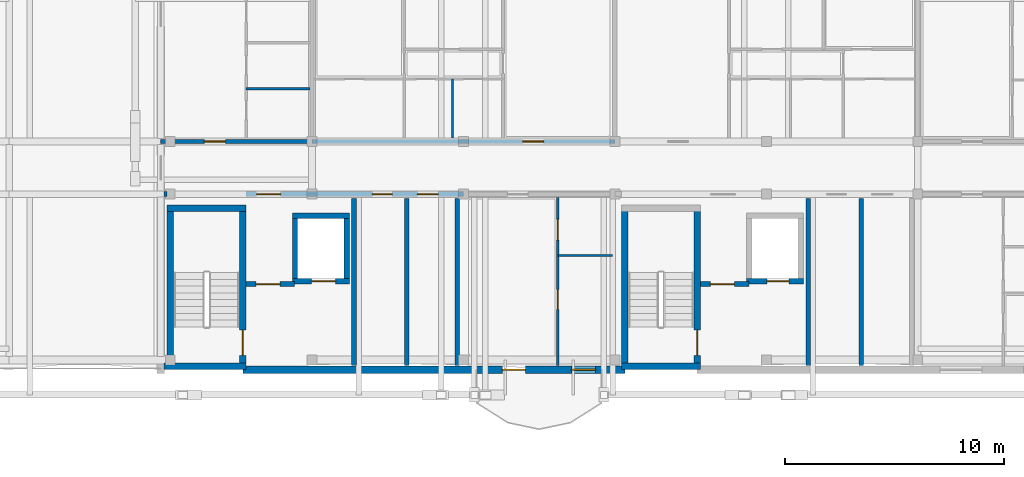
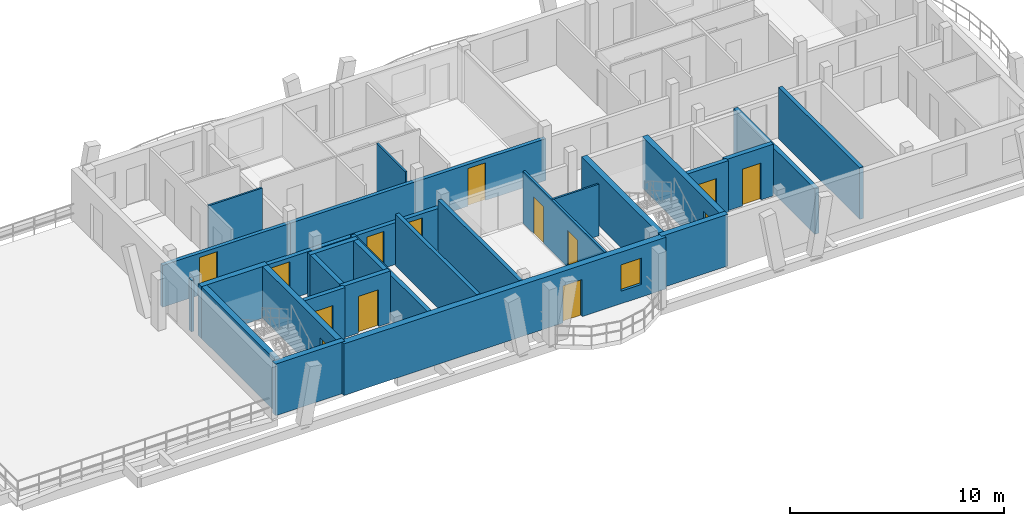
# One storey, part 30 of 44: 28 walls, 14 doors, 1 window, 15 openings.
"""IFC4 building model written with IfcOpenShell, lengths in metres."""

from ifc_helpers import new_model, si_unit, direction, frame, frame_2d, origin, origin_with_axes, place, context, subcontext, project, spatial, rectangle, extrude, material, layer, layer_set, type_object, element, fill, save


model = new_model("IFC4")

# Units and contexts
model_context = context("Model", 3, precision=1e-05, world=origin(), true_north=direction((0.0, 1.0)))
body_context = subcontext(model_context, "Body", "Model", "MODEL_VIEW")
ifc_project = project(units=[si_unit("LENGTHUNIT", "METRE"), si_unit("AREAUNIT", "SQUARE_METRE"), si_unit("VOLUMEUNIT", "CUBIC_METRE"), si_unit("PLANEANGLEUNIT", "RADIAN"), si_unit("MASSUNIT", "GRAM", prefix="KILO")], contexts=[model_context])

# Site, building, storey
site_placement = place(None, origin())
site = spatial("IfcSite", under=ifc_project, at=site_placement, CompositionType="ELEMENT")
building_placement = place(site_placement, origin())
building = spatial("IfcBuilding", under=site, at=building_placement, Name="Zavelmont Quarter", CompositionType="ELEMENT")
storey_placement = place(building_placement, frame((0.0, 0.0, 20.800048828125)))
storey = spatial("IfcBuildingStorey", under=building, at=storey_placement, Name="L06", CompositionType="ELEMENT", Elevation=20.800048828125)

# Wall, openings, door, window
ifc_material_1 = material(Name="Natural Belgian limestone", Category="masonry")
ifc_layer_1 = layer(ifc_material_1, 0.340087890625)
ifc_layer_set_1 = layer_set([ifc_layer_1], Name="Natural Belgian limestone")
wall_type_1 = type_object("IfcWallType", Name="EW03", PredefinedType="STANDARD", material=ifc_layer_set_1)
wall_1_placement = place(storey_placement, frame((130.35009765625, 97.60009765625, 0.0), z_axis=(0.0, 0.0, 1.0), x_axis=(1.0, 0.0, 0.0)))
wall_1 = element("IfcWall", 1, at=wall_1_placement, inside=storey, type_object=wall_type_1, Name="L06 exterior limestone wall EW03", PredefinedType="STANDARD", context=body_context, shape_type="SweptSolid", body=[
    extrude(rectangle(XDim=17.39990234375, YDim=0.340087890625, at=frame_2d((8.699951171875, 0.0))), origin(), (0.0, 0.0, 1.0), 2.949951171875),
])
opening_1_placement = place(wall_1_placement, frame((11.820068359375, 0.0, 0.0)))
opening_1 = element("IfcOpeningElement", 2, at=opening_1_placement, cuts=wall_1, Name="Opening DR04A", PredefinedType="OPENING", context=body_context, shape_type="SweptSolid", body=[
    extrude(rectangle(XDim=1.050048828125, YDim=2.1201171875, at=frame_2d((0.52490234375, 1.06005859375))), frame((0.0, 0.18212890625, 0.0), z_axis=(0.0, -1.0, 0.0), x_axis=(1.0, 0.0, 0.0)), (0.0, 0.0, 1.0), 0.364013671875),
])
opening_2_placement = place(wall_1_placement, frame((14.969970703125, 0.0, 0.719970703125)))
opening_2 = element("IfcOpeningElement", 3, at=opening_2_placement, cuts=wall_1, Name="Opening WN09", PredefinedType="OPENING", context=body_context, shape_type="SweptSolid", body=[
    extrude(rectangle(XDim=1.10009765625, YDim=1.5, at=frame_2d((0.550048828125, 0.75))), frame((0.0, 0.18212890625, 0.0), z_axis=(0.0, -1.0, 0.0), x_axis=(1.0, 0.0, 0.0)), (0.0, 0.0, 1.0), 0.364013671875),
])
ifc_material_2 = material(Name="Thermally broken aluminium and double safety glass", Category="aluminium")
door_type_1 = type_object("IfcDoorType", Name="DR04A", OperationType="NOTDEFINED", PredefinedType="DOOR", material=ifc_material_2)
door_1_placement = place(opening_1_placement, origin_with_axes())
door_1 = element("IfcDoor", 4, at=door_1_placement, inside=storey, type_object=door_type_1, Name="Block C L06 glazed balcony door", OperationType="SINGLE_SWING_RIGHT", OverallHeight=2.1201171875, OverallWidth=1.050048828125, PredefinedType="DOOR", context=body_context, shape_type="SweptSolid", body=[
    extrude(rectangle(XDim=1.050048828125, YDim=2.1201171875, at=frame_2d((0.52490234375, 1.06005859375))), frame((0.0, 0.02490234375, 0.0), z_axis=(0.0, -1.0, 0.0), x_axis=(1.0, 0.0, 0.0)), (0.0, 0.0, 1.0), 0.050048828125),
])
fill(opening_1, door_1)
ifc_material_3 = material(Name="Double low-E insulated glazing in thermally broken aluminium frame", Category="aluminium")
window_type = type_object("IfcWindowType", Name="WN09", PartitioningType="SINGLE_PANEL", PredefinedType="WINDOW", material=ifc_material_3)
window_placement = place(opening_2_placement, origin_with_axes())
window = element("IfcWindow", 5, at=window_placement, inside=storey, type_object=window_type, Name="L06 window WN09", OverallHeight=1.5, OverallWidth=1.10009765625, PartitioningType="SINGLE_PANEL", PredefinedType="WINDOW", context=body_context, shape_type="SweptSolid", body=[
    extrude(rectangle(XDim=1.10009765625, YDim=1.5, at=frame_2d((0.550048828125, 0.75))), frame((0.0, 0.030029296875, 0.0), z_axis=(0.0, -1.0, 0.0), x_axis=(1.0, 0.0, 0.0)), (0.0, 0.0, 1.0), 0.06005859375),
])
fill(opening_2, window)

# Walls
ifc_material_4 = material(Name="Calcium-silicate blockwork and acoustic plaster", Category="masonry")
ifc_layer_2 = layer(ifc_material_4, 0.199951171875)
ifc_layer_set_2 = layer_set([ifc_layer_2], Name="Calcium-silicate blockwork and acoustic plaster")
wall_type_2 = type_object("IfcWallType", Name="IW01", PredefinedType="PARTITIONING", material=ifc_layer_set_2)
for number, where, z_axis, x_axis, name in (
    (6, (137.824951171875, 97.800048828125, 0.0), (0.0, 0.0, 1.0), (0.0, 1.0, 0.0), "L06 Service riser divider wall IW01"),
    (7, (140.1201171875, 97.800048828125, 0.0), (0.0, 0.0, 1.0), (0.0, 1.0, 0.0), "L06 Core service end wall IW01"),
    (8, (158.52490234375, 97.800048828125, 0.0), (0.0, 0.0, 1.0), (0.0, 1.0, 0.0), "L06 Service riser divider wall IW01"),
):
    element("IfcWall", number, at=place(storey_placement, frame(where, z_axis=z_axis, x_axis=x_axis)), inside=storey, type_object=wall_type_2, Name=name, PredefinedType="PARTITIONING", context=body_context, shape_type="SweptSolid", body=[
        extrude(rectangle(XDim=7.599853515625, YDim=0.199951171875, at=frame_2d((3.7998046875, 0.0))), origin(), (0.0, 0.0, 1.0), 2.949951171875),
    ])

# Wall, opening, door
wall_2_placement = place(storey_placement, frame((126.60009765625, 108.0, 0.0), z_axis=(0.0, 0.0, 1.0), x_axis=(1.0, 0.0, 0.0)))
wall_2 = element("IfcWall", 9, at=wall_2_placement, inside=storey, type_object=wall_type_2, Name="L06 Corridor compartment wall IW01", PredefinedType="PARTITIONING", context=body_context, shape_type="SweptSolid", body=[
    extrude(rectangle(XDim=6.89990234375, YDim=0.199951171875, at=frame_2d((3.449951171875, 0.0))), origin(), (0.0, 0.0, 1.0), 2.389892578125),
])
opening_3_placement = place(wall_2_placement, frame((2.0, 0.0, 0.0)))
opening_3 = element("IfcOpeningElement", 10, at=opening_3_placement, cuts=wall_2, Name="Opening DR02", PredefinedType="OPENING", context=body_context, shape_type="SweptSolid", body=[
    extrude(rectangle(XDim=0.949951171875, YDim=2.14990234375, at=frame_2d((0.47509765625, 1.074951171875))), frame((0.0, 0.11181640625, 0.0), z_axis=(0.0, -1.0, 0.0), x_axis=(1.0, 0.0, 0.0)), (0.0, 0.0, 1.0), 0.223876953125),
])
ifc_material_5 = material(Name="Solid-core oak fire leaf in steel frame", Category="steel")
door_type_2 = type_object("IfcDoorType", Name="DR02", OperationType="NOTDEFINED", PredefinedType="DOOR", material=ifc_material_5)
door_2_placement = place(opening_3_placement, origin_with_axes())
door_2 = element("IfcDoor", 11, at=door_2_placement, inside=storey, type_object=door_type_2, Name="L06 door DR02", OperationType="SINGLE_SWING_LEFT", OverallHeight=2.14990234375, OverallWidth=0.949951171875, PredefinedType="DOOR", context=body_context, shape_type="SweptSolid", body=[
    extrude(rectangle(XDim=0.949951171875, YDim=2.14990234375, at=frame_2d((0.47509765625, 1.074951171875))), frame((0.0, 0.02490234375, 0.0), z_axis=(0.0, -1.0, 0.0), x_axis=(1.0, 0.0, 0.0)), (0.0, 0.0, 1.0), 0.050048828125),
])
fill(opening_3, door_2)

wall_3_placement = place(storey_placement, frame((133.5, 108.0, 0.0), z_axis=(0.0, 0.0, 1.0), x_axis=(1.0, 0.0, 0.0)))
wall_3 = element("IfcWall", 12, at=wall_3_placement, inside=storey, type_object=wall_type_2, Name="L06 Corridor compartment wall IW01", PredefinedType="PARTITIONING", context=body_context, shape_type="SweptSolid", body=[
    extrude(rectangle(XDim=13.800048828125, YDim=0.199951171875, at=frame_2d((6.89990234375, 0.0))), origin(), (0.0, 0.0, 1.0), 2.389892578125),
])
opening_4_placement = place(wall_3_placement, frame((9.60009765625, 0.0, 0.0)))
opening_4 = element("IfcOpeningElement", 13, at=opening_4_placement, cuts=wall_3, Name="Opening DR02", PredefinedType="OPENING", context=body_context, shape_type="SweptSolid", body=[
    extrude(rectangle(XDim=0.949951171875, YDim=2.14990234375, at=frame_2d((0.47509765625, 1.074951171875))), frame((0.0, 0.11181640625, 0.0), z_axis=(0.0, -1.0, 0.0), x_axis=(1.0, 0.0, 0.0)), (0.0, 0.0, 1.0), 0.223876953125),
])
door_3_placement = place(opening_4_placement, origin_with_axes())
door_3 = element("IfcDoor", 14, at=door_3_placement, inside=storey, type_object=door_type_2, Name="L06 door DR02", OperationType="SINGLE_SWING_RIGHT", OverallHeight=2.14990234375, OverallWidth=0.949951171875, PredefinedType="DOOR", context=body_context, shape_type="SweptSolid", body=[
    extrude(rectangle(XDim=0.949951171875, YDim=2.14990234375, at=frame_2d((0.47509765625, 1.074951171875))), frame((0.0, 0.02490234375, 0.0), z_axis=(0.0, -1.0, 0.0), x_axis=(1.0, 0.0, 0.0)), (0.0, 0.0, 1.0), 0.050048828125),
])
fill(opening_4, door_3)

# Wall
ifc_material_6 = material(Name="Reinforced masonry fire compartment wall", Category="masonry")
ifc_layer_3 = layer(ifc_material_6, 0.22509765625)
ifc_layer_set_3 = layer_set([ifc_layer_3], Name="Reinforced masonry fire compartment wall")
wall_type_3 = type_object("IfcWallType", Name="IW02", PredefinedType="PARTITIONING", material=ifc_layer_set_3)
wall_4_placement = place(storey_placement, frame((135.409912109375, 97.800048828125, 0.0), z_axis=(0.0, 0.0, 1.0), x_axis=(0.0, 1.0, 0.0)))
element("IfcWall", 15, at=wall_4_placement, inside=storey, type_object=wall_type_3, Name="L06 Firefighting lobby enclosure wall IW02", PredefinedType="PARTITIONING", context=body_context, shape_type="SweptSolid", body=[
    extrude(rectangle(XDim=7.599853515625, YDim=0.22509765625, at=frame_2d((3.7998046875, 0.0))), origin(), (0.0, 0.0, 1.0), 2.58984375),
])

# Wall, opening, door
wall_5_placement = place(storey_placement, frame((130.5, 101.5, 0.0), z_axis=(0.0, 0.0, 1.0), x_axis=(1.0, 0.0, 0.0)))
wall_5 = element("IfcWall", 16, at=wall_5_placement, inside=storey, type_object=wall_type_3, Name="L06 Firefighting lobby threshold wall IW02", PredefinedType="PARTITIONING", context=body_context, shape_type="SweptSolid", body=[
    extrude(rectangle(XDim=2.199951171875, YDim=0.22509765625, at=frame_2d((1.10009765625, 0.0))), origin(), (0.0, 0.0, 1.0), 2.949951171875),
])
opening_5_placement = place(wall_5_placement, frame((0.449951171875, 0.0, 0.0)))
opening_5 = element("IfcOpeningElement", 17, at=opening_5_placement, cuts=wall_5, Name="Opening DR10", PredefinedType="OPENING", context=body_context, shape_type="SweptSolid", body=[
    extrude(rectangle(XDim=1.10009765625, YDim=2.14990234375, at=frame_2d((0.550048828125, 1.074951171875))), frame((0.0, 0.12451171875, 0.0), z_axis=(0.0, -1.0, 0.0), x_axis=(1.0, 0.0, 0.0)), (0.0, 0.0, 1.0), 0.2490234375),
])
ifc_material_7 = material(Name="Painted steel lobby fire door", Category="steel")
door_type_3 = type_object("IfcDoorType", Name="DR10", OperationType="NOTDEFINED", PredefinedType="DOOR", material=ifc_material_7)
door_4_placement = place(opening_5_placement, frame((1.10009765625, 0.0, 0.0), z_axis=(0.0, 0.0, 1.0), x_axis=(-1.0, 0.0, 0.0)))
door_4 = element("IfcDoor", 18, at=door_4_placement, inside=storey, type_object=door_type_3, Name="Firefighting lobby fire door", OperationType="SINGLE_SWING_RIGHT", OverallHeight=2.14990234375, OverallWidth=1.10009765625, PredefinedType="DOOR", context=body_context, shape_type="SweptSolid", body=[
    extrude(rectangle(XDim=1.10009765625, YDim=2.14990234375, at=frame_2d((0.550048828125, 1.074951171875))), frame((0.0, 0.02490234375, 0.0), z_axis=(0.0, -1.0, 0.0), x_axis=(1.0, 0.0, 0.0)), (0.0, 0.0, 1.0), 0.050048828125),
])
fill(opening_5, door_4)

# Wall
wall_6_placement = place(storey_placement, frame((126.75, 105.60009765625, 0.0), z_axis=(0.0, 0.0, 1.0), x_axis=(1.0, 0.0, 0.0)))
element("IfcWall", 19, at=wall_6_placement, inside=storey, type_object=wall_type_3, Name="L06 Core corridor wall IW02", PredefinedType="PARTITIONING", context=body_context, shape_type="SweptSolid", body=[
    extrude(rectangle(XDim=0.14990234375, YDim=0.22509765625, at=frame_2d((0.074951171875, 0.0))), origin(), (0.0, 0.0, 1.0), 2.949951171875),
])

# Wall, openings, doors
wall_7_placement = place(storey_placement, frame((130.5, 105.60009765625, 0.0), z_axis=(0.0, 0.0, 1.0), x_axis=(1.0, 0.0, 0.0)))
wall_7 = element("IfcWall", 20, at=wall_7_placement, inside=storey, type_object=wall_type_3, Name="L06 Core corridor fire wall IW02", PredefinedType="PARTITIONING", context=body_context, shape_type="SweptSolid", body=[
    extrude(rectangle(XDim=9.89990234375, YDim=0.22509765625, at=frame_2d((4.949951171875, 0.0))), origin(), (0.0, 0.0, 1.0), 2.389892578125),
])
opening_6_placement = place(wall_7_placement, frame((0.47509765625, 0.0, 0.0)))
opening_6 = element("IfcOpeningElement", 21, at=opening_6_placement, cuts=wall_7, Name="Opening DR10", PredefinedType="OPENING", context=body_context, shape_type="SweptSolid", body=[
    extrude(rectangle(XDim=1.10009765625, YDim=2.14990234375, at=frame_2d((0.550048828125, 1.074951171875))), frame((0.0, 0.12451171875, 0.0), z_axis=(0.0, -1.0, 0.0), x_axis=(1.0, 0.0, 0.0)), (0.0, 0.0, 1.0), 0.2490234375),
])
opening_7_placement = place(wall_7_placement, frame((5.75, 0.0, 0.0)))
opening_7 = element("IfcOpeningElement", 22, at=opening_7_placement, cuts=wall_7, Name="Opening DR11", PredefinedType="OPENING", context=body_context, shape_type="SweptSolid", body=[
    extrude(rectangle(XDim=0.89990234375, YDim=2.10009765625, at=frame_2d((0.449951171875, 1.050048828125))), frame((0.0, 0.12451171875, 0.0), z_axis=(0.0, -1.0, 0.0), x_axis=(1.0, 0.0, 0.0)), (0.0, 0.0, 1.0), 0.2490234375),
])
opening_8_placement = place(wall_7_placement, frame((7.800048828125, 0.0, 0.0)))
opening_8 = element("IfcOpeningElement", 23, at=opening_8_placement, cuts=wall_7, Name="Opening DR02", PredefinedType="OPENING", context=body_context, shape_type="SweptSolid", body=[
    extrude(rectangle(XDim=0.949951171875, YDim=2.14990234375, at=frame_2d((0.47509765625, 1.074951171875))), frame((0.0, 0.12451171875, 0.0), z_axis=(0.0, -1.0, 0.0), x_axis=(1.0, 0.0, 0.0)), (0.0, 0.0, 1.0), 0.2490234375),
])
door_5_placement = place(opening_8_placement, origin_with_axes())
door_5 = element("IfcDoor", 24, at=door_5_placement, inside=storey, type_object=door_type_2, Name="Auxiliary store corridor door", OperationType="SINGLE_SWING_RIGHT", OverallHeight=2.14990234375, OverallWidth=0.949951171875, PredefinedType="DOOR", context=body_context, shape_type="SweptSolid", body=[
    extrude(rectangle(XDim=0.949951171875, YDim=2.14990234375, at=frame_2d((0.47509765625, 1.074951171875))), frame((0.0, 0.02490234375, 0.0), z_axis=(0.0, -1.0, 0.0), x_axis=(1.0, 0.0, 0.0)), (0.0, 0.0, 1.0), 0.050048828125),
])
fill(opening_8, door_5)
door_6_placement = place(opening_6_placement, frame((1.10009765625, 0.0, 0.0), z_axis=(0.0, 0.0, 1.0), x_axis=(-1.0, 0.0, 0.0)))
door_6 = element("IfcDoor", 25, at=door_6_placement, inside=storey, type_object=door_type_3, Name="Core vestibule fire door", OperationType="SINGLE_SWING_LEFT", OverallHeight=2.14990234375, OverallWidth=1.10009765625, PredefinedType="DOOR", context=body_context, shape_type="SweptSolid", body=[
    extrude(rectangle(XDim=1.10009765625, YDim=2.14990234375, at=frame_2d((0.550048828125, 1.074951171875))), frame((0.0, 0.02490234375, 0.0), z_axis=(0.0, -1.0, 0.0), x_axis=(1.0, 0.0, 0.0)), (0.0, 0.0, 1.0), 0.050048828125),
])
fill(opening_6, door_6)
ifc_material_8 = material(Name="Painted steel service-riser fire door", Category="steel")
door_type_4 = type_object("IfcDoorType", Name="DR11", OperationType="NOTDEFINED", PredefinedType="DOOR", material=ifc_material_8)
door_7_placement = place(opening_7_placement, origin_with_axes())
door_7 = element("IfcDoor", 26, at=door_7_placement, inside=storey, type_object=door_type_4, Name="Service riser fire door", OperationType="SINGLE_SWING_LEFT", OverallHeight=2.10009765625, OverallWidth=0.89990234375, PredefinedType="DOOR", context=body_context, shape_type="SweptSolid", body=[
    extrude(rectangle(XDim=0.89990234375, YDim=2.10009765625, at=frame_2d((0.449951171875, 1.050048828125))), frame((0.0, 0.02490234375, 0.0), z_axis=(0.0, -1.0, 0.0), x_axis=(1.0, 0.0, 0.0)), (0.0, 0.0, 1.0), 0.050048828125),
])
fill(opening_7, door_7)

# Wall
wall_8_placement = place(storey_placement, frame((156.110107421875, 97.800048828125, 0.0), z_axis=(0.0, 0.0, 1.0), x_axis=(0.0, 1.0, 0.0)))
element("IfcWall", 27, at=wall_8_placement, inside=storey, type_object=wall_type_3, Name="L06 Firefighting lobby enclosure wall IW02", PredefinedType="PARTITIONING", context=body_context, shape_type="SweptSolid", body=[
    extrude(rectangle(XDim=7.599853515625, YDim=0.22509765625, at=frame_2d((3.7998046875, 0.0))), origin(), (0.0, 0.0, 1.0), 2.58984375),
])

# Wall, opening, door
wall_9_placement = place(storey_placement, frame((151.199951171875, 101.5, 0.0), z_axis=(0.0, 0.0, 1.0), x_axis=(1.0, 0.0, 0.0)))
wall_9 = element("IfcWall", 28, at=wall_9_placement, inside=storey, type_object=wall_type_3, Name="L06 Firefighting lobby threshold wall IW02", PredefinedType="PARTITIONING", context=body_context, shape_type="SweptSolid", body=[
    extrude(rectangle(XDim=2.199951171875, YDim=0.22509765625, at=frame_2d((1.10009765625, 0.0))), origin(), (0.0, 0.0, 1.0), 2.949951171875),
])
opening_9_placement = place(wall_9_placement, frame((0.449951171875, 0.0, 0.0)))
opening_9 = element("IfcOpeningElement", 29, at=opening_9_placement, cuts=wall_9, Name="Opening DR10", PredefinedType="OPENING", context=body_context, shape_type="SweptSolid", body=[
    extrude(rectangle(XDim=1.10009765625, YDim=2.14990234375, at=frame_2d((0.550048828125, 1.074951171875))), frame((0.0, 0.12451171875, 0.0), z_axis=(0.0, -1.0, 0.0), x_axis=(1.0, 0.0, 0.0)), (0.0, 0.0, 1.0), 0.2490234375),
])
door_8_placement = place(opening_9_placement, frame((1.10009765625, 0.0, 0.0), z_axis=(0.0, 0.0, 1.0), x_axis=(-1.0, 0.0, 0.0)))
door_8 = element("IfcDoor", 30, at=door_8_placement, inside=storey, type_object=door_type_3, Name="Firefighting lobby fire door", OperationType="SINGLE_SWING_LEFT", OverallHeight=2.14990234375, OverallWidth=1.10009765625, PredefinedType="DOOR", context=body_context, shape_type="SweptSolid", body=[
    extrude(rectangle(XDim=1.10009765625, YDim=2.14990234375, at=frame_2d((0.550048828125, 1.074951171875))), frame((0.0, 0.02490234375, 0.0), z_axis=(0.0, -1.0, 0.0), x_axis=(1.0, 0.0, 0.0)), (0.0, 0.0, 1.0), 0.050048828125),
])
fill(opening_9, door_8)

# Wall, openings, doors
ifc_material_9 = material(Name="Double gypsum board on acoustic steel stud", Category="steel")
ifc_layer_4 = layer(ifc_material_9, 0.125)
ifc_layer_set_4 = layer_set([ifc_layer_4], Name="Double gypsum board on acoustic steel stud")
wall_type_4 = type_object("IfcWallType", Name="IW03", PredefinedType="PARTITIONING", material=ifc_layer_set_4)
wall_10_placement = place(storey_placement, frame((144.699951171875, 105.449951171875, 0.0), z_axis=(0.0, 0.0, 1.0), x_axis=(0.0, -1.0, 0.0)))
wall_10 = element("IfcWall", 31, at=wall_10_placement, inside=storey, type_object=wall_type_4, Name="L06 Partition IW03", PredefinedType="PARTITIONING", context=body_context, shape_type="SweptSolid", body=[
    extrude(rectangle(XDim=7.64990234375, YDim=0.125, at=frame_2d((3.824951171875, 0.0))), origin(), (0.0, 0.0, 1.0), 2.949951171875),
])
opening_10_placement = place(wall_10_placement, frame((1.0, 0.0, 0.0)))
opening_10 = element("IfcOpeningElement", 32, at=opening_10_placement, cuts=wall_10, Name="Opening DR17", PredefinedType="OPENING", context=body_context, shape_type="SweptSolid", body=[
    extrude(rectangle(XDim=0.949951171875, YDim=2.10009765625, at=frame_2d((0.47509765625, 1.050048828125))), frame((0.0, 0.074462890625, 0.0), z_axis=(0.0, -1.0, 0.0), x_axis=(1.0, 0.0, 0.0)), (0.0, 0.0, 1.0), 0.14892578125),
])
opening_11_placement = place(wall_10_placement, frame((4.199951171875, 0.0, 0.0)))
opening_11 = element("IfcOpeningElement", 33, at=opening_11_placement, cuts=wall_10, Name="Opening DR05", PredefinedType="OPENING", context=body_context, shape_type="SweptSolid", body=[
    extrude(rectangle(XDim=0.89990234375, YDim=2.10009765625, at=frame_2d((0.449951171875, 1.050048828125))), frame((0.0, 0.074462890625, 0.0), z_axis=(0.0, -1.0, 0.0), x_axis=(1.0, 0.0, 0.0)), (0.0, 0.0, 1.0), 0.14892578125),
])
ifc_material_10 = material(Name="Engineered oak flush interior door")
door_type_5 = type_object("IfcDoorType", Name="DR05", OperationType="NOTDEFINED", PredefinedType="DOOR", material=ifc_material_10)
door_9_placement = place(opening_11_placement, frame((0.89990234375, 0.0, 0.0), z_axis=(0.0, 0.0, 1.0), x_axis=(-1.0, 0.0, 0.0)))
door_9 = element("IfcDoor", 34, at=door_9_placement, inside=storey, type_object=door_type_5, Name="L06 door DR05", OperationType="SINGLE_SWING_RIGHT", OverallHeight=2.10009765625, OverallWidth=0.89990234375, PredefinedType="DOOR", context=body_context, shape_type="SweptSolid", body=[
    extrude(rectangle(XDim=0.89990234375, YDim=2.10009765625, at=frame_2d((0.449951171875, 1.050048828125))), frame((0.0, 0.02490234375, 0.0), z_axis=(0.0, -1.0, 0.0), x_axis=(1.0, 0.0, 0.0)), (0.0, 0.0, 1.0), 0.050048828125),
])
fill(opening_11, door_9)
ifc_material_11 = material(Name="Accessible washroom flush door")
door_type_6 = type_object("IfcDoorType", Name="DR17", OperationType="NOTDEFINED", PredefinedType="DOOR", material=ifc_material_11)
door_10_placement = place(opening_10_placement, origin_with_axes())
door_10 = element("IfcDoor", 35, at=door_10_placement, inside=storey, type_object=door_type_6, Name="L06 door DR17", OperationType="SINGLE_SWING_LEFT", OverallHeight=2.10009765625, OverallWidth=0.949951171875, PredefinedType="DOOR", context=body_context, shape_type="SweptSolid", body=[
    extrude(rectangle(XDim=0.949951171875, YDim=2.10009765625, at=frame_2d((0.47509765625, 1.050048828125))), frame((0.0, 0.02490234375, 0.0), z_axis=(0.0, -1.0, 0.0), x_axis=(1.0, 0.0, 0.0)), (0.0, 0.0, 1.0), 0.050048828125),
])
fill(opening_10, door_10)

# Walls
ifc_material_12 = material(Name="Moisture-resistant gypsum board on steel stud", Category="steel")
ifc_layer_5 = layer(ifc_material_12, 0.10009765625)
ifc_layer_set_5 = layer_set([ifc_layer_5], Name="Moisture-resistant gypsum board on steel stud")
wall_type_5 = type_object("IfcWallType", Name="IW04", PredefinedType="PARTITIONING", material=ifc_layer_set_5)
wall_11_placement = place(storey_placement, frame((130.5, 110.39990234375, 0.0), z_axis=(0.0, 0.0, 1.0), x_axis=(1.0, 0.0, 0.0)))
element("IfcWall", 36, at=wall_11_placement, inside=storey, type_object=wall_type_5, Name="L06 Partition IW04", PredefinedType="PARTITIONING", context=body_context, shape_type="SweptSolid", body=[
    extrude(rectangle(XDim=2.89990234375, YDim=0.10009765625, at=frame_2d((1.449951171875, 0.0))), origin(), (0.0, 0.0, 1.0), 2.949951171875),
])
wall_12_placement = place(storey_placement, frame((139.89990234375, 108.14990234375, 0.0), z_axis=(0.0, 0.0, 1.0), x_axis=(0.0, 1.0, 0.0)))
element("IfcWall", 37, at=wall_12_placement, inside=storey, type_object=wall_type_5, Name="L06 Partition IW04", PredefinedType="PARTITIONING", context=body_context, shape_type="SweptSolid", body=[
    extrude(rectangle(XDim=2.7001953125, YDim=0.10009765625, at=frame_2d((1.35009765625, 0.0))), origin(), (0.0, 0.0, 1.0), 2.949951171875),
])
wall_13_placement = place(storey_placement, frame((144.699951171875, 102.800048828125, 0.0), z_axis=(0.0, 0.0, 1.0), x_axis=(1.0, 0.0, 0.0)))
element("IfcWall", 38, at=wall_13_placement, inside=storey, type_object=wall_type_5, Name="L06 Partition IW04", PredefinedType="PARTITIONING", context=body_context, shape_type="SweptSolid", body=[
    extrude(rectangle(XDim=2.5, YDim=0.10009765625, at=frame_2d((1.25, 0.0))), origin(), (0.0, 0.0, 1.0), 2.949951171875),
])
ifc_material_13 = material(Name="Concrete C40/50", Category="concrete")
ifc_layer_6 = layer(ifc_material_13, 0.300048828125)
ifc_layer_set_6 = layer_set([ifc_layer_6], Name="Concrete C40/50")
wall_type_6 = type_object("IfcWallType", Name="SW01", PredefinedType="SHEAR", material=ifc_layer_set_6)
wall_14_placement = place(storey_placement, frame((126.89990234375, 104.949951171875, 0.0), z_axis=(0.0, 0.0, 1.0), x_axis=(1.0, 0.0, 0.0)))
element("IfcWall", 39, at=wall_14_placement, inside=storey, type_object=wall_type_6, Name="L06 ST05 corridor shear wall SW01", PredefinedType="SHEAR", context=body_context, shape_type="SweptSolid", body=[
    extrude(rectangle(XDim=3.60009765625, YDim=0.300048828125, at=frame_2d((1.800048828125, 0.0))), origin(), (0.0, 0.0, 1.0), 2.949951171875),
])
wall_15_placement = place(storey_placement, frame((127.050048828125, 97.60009765625, 0.0), z_axis=(0.0, 0.0, 1.0), x_axis=(0.0, 1.0, 0.0)))
element("IfcWall", 40, at=wall_15_placement, inside=storey, type_object=wall_type_6, Name="L06 ST05 west shear wall SW01", PredefinedType="SHEAR", context=body_context, shape_type="SweptSolid", body=[
    extrude(rectangle(XDim=7.5, YDim=0.300048828125, at=frame_2d((3.75, 0.0))), origin(), (0.0, 0.0, 1.0), 2.949951171875),
])

# Wall, opening, door
wall_16_placement = place(storey_placement, frame((130.35009765625, 97.60009765625, 0.0), z_axis=(0.0, 0.0, 1.0), x_axis=(0.0, 1.0, 0.0)))
wall_16 = element("IfcWall", 41, at=wall_16_placement, inside=storey, type_object=wall_type_6, Name="L06 ST05 lobby shear wall SW01", PredefinedType="SHEAR", context=body_context, shape_type="SweptSolid", body=[
    extrude(rectangle(XDim=7.5, YDim=0.300048828125, at=frame_2d((3.75, 0.0))), origin(), (0.0, 0.0, 1.0), 2.949951171875),
])
opening_12_placement = place(wall_16_placement, frame((0.64990234375, 0.0, 0.0)))
opening_12 = element("IfcOpeningElement", 42, at=opening_12_placement, cuts=wall_16, Name="Opening DR09", PredefinedType="OPENING", context=body_context, shape_type="SweptSolid", body=[
    extrude(rectangle(XDim=1.14990234375, YDim=2.14990234375, at=frame_2d((0.574951171875, 1.074951171875))), frame((0.0, 0.162109375, 0.0), z_axis=(0.0, -1.0, 0.0), x_axis=(1.0, 0.0, 0.0)), (0.0, 0.0, 1.0), 0.323974609375),
])
ifc_material_14 = material(Name="Painted steel stair-core fire door", Category="steel")
door_type_7 = type_object("IfcDoorType", Name="DR09", OperationType="NOTDEFINED", PredefinedType="DOOR", material=ifc_material_14)
door_11_placement = place(opening_12_placement, origin_with_axes())
door_11 = element("IfcDoor", 43, at=door_11_placement, inside=storey, type_object=door_type_7, Name="ST05 protected stair door", OperationType="SINGLE_SWING_RIGHT", OverallHeight=2.14990234375, OverallWidth=1.14990234375, PredefinedType="DOOR", context=body_context, shape_type="SweptSolid", body=[
    extrude(rectangle(XDim=1.14990234375, YDim=2.14990234375, at=frame_2d((0.574951171875, 1.074951171875))), frame((0.0, 0.02490234375, 0.0), z_axis=(0.0, -1.0, 0.0), x_axis=(1.0, 0.0, 0.0)), (0.0, 0.0, 1.0), 0.050048828125),
])
fill(opening_12, door_11)

# Wall
wall_17_placement = place(storey_placement, frame((147.75, 97.60009765625, 0.0), z_axis=(0.0, 0.0, 1.0), x_axis=(0.0, 1.0, 0.0)))
element("IfcWall", 44, at=wall_17_placement, inside=storey, type_object=wall_type_6, Name="L06 ST06 west shear wall SW01", PredefinedType="SHEAR", context=body_context, shape_type="SweptSolid", body=[
    extrude(rectangle(XDim=7.5, YDim=0.300048828125, at=frame_2d((3.75, 0.0))), origin(), (0.0, 0.0, 1.0), 2.949951171875),
])

# Wall, opening, door
wall_18_placement = place(storey_placement, frame((151.050048828125, 97.60009765625, 0.0), z_axis=(0.0, 0.0, 1.0), x_axis=(0.0, 1.0, 0.0)))
wall_18 = element("IfcWall", 45, at=wall_18_placement, inside=storey, type_object=wall_type_6, Name="L06 ST06 lobby shear wall SW01", PredefinedType="SHEAR", context=body_context, shape_type="SweptSolid", body=[
    extrude(rectangle(XDim=7.5, YDim=0.300048828125, at=frame_2d((3.75, 0.0))), origin(), (0.0, 0.0, 1.0), 2.949951171875),
])
opening_13_placement = place(wall_18_placement, frame((0.64990234375, 0.0, 0.0)))
opening_13 = element("IfcOpeningElement", 46, at=opening_13_placement, cuts=wall_18, Name="Opening DR09", PredefinedType="OPENING", context=body_context, shape_type="SweptSolid", body=[
    extrude(rectangle(XDim=1.14990234375, YDim=2.14990234375, at=frame_2d((0.574951171875, 1.074951171875))), frame((0.0, 0.162109375, 0.0), z_axis=(0.0, -1.0, 0.0), x_axis=(1.0, 0.0, 0.0)), (0.0, 0.0, 1.0), 0.323974609375),
])
door_12_placement = place(opening_13_placement, origin_with_axes())
door_12 = element("IfcDoor", 47, at=door_12_placement, inside=storey, type_object=door_type_7, Name="ST06 protected stair door", OperationType="SINGLE_SWING_RIGHT", OverallHeight=2.14990234375, OverallWidth=1.14990234375, PredefinedType="DOOR", context=body_context, shape_type="SweptSolid", body=[
    extrude(rectangle(XDim=1.14990234375, YDim=2.14990234375, at=frame_2d((0.574951171875, 1.074951171875))), frame((0.0, 0.02490234375, 0.0), z_axis=(0.0, -1.0, 0.0), x_axis=(1.0, 0.0, 0.0)), (0.0, 0.0, 1.0), 0.050048828125),
])
fill(opening_13, door_12)

ifc_layer_7 = layer(ifc_material_13, 0.25)
ifc_layer_set_7 = layer_set([ifc_layer_7], Name="Concrete C40/50")
wall_type_7 = type_object("IfcWallType", Name="SW02", PredefinedType="SHEAR", material=ifc_layer_set_7)
wall_19_placement = place(storey_placement, frame((132.60009765625, 101.625, 0.0), z_axis=(0.0, 0.0, 1.0), x_axis=(1.0, 0.0, 0.0)))
wall_19 = element("IfcWall", 48, at=wall_19_placement, inside=storey, type_object=wall_type_7, Name="L06 Lift FL03 landing shaft wall SW02", PredefinedType="SHEAR", context=body_context, shape_type="SweptSolid", body=[
    extrude(rectangle(XDim=2.599853515625, YDim=0.25, at=frame_2d((1.2998046875, 0.0))), origin(), (0.0, 0.0, 1.0), 2.949951171875),
])
opening_14_placement = place(wall_19_placement, frame((0.875, 0.0, 0.0)))
opening_14 = element("IfcOpeningElement", 49, at=opening_14_placement, cuts=wall_19, Name="Opening LD02", PredefinedType="OPENING", context=body_context, shape_type="SweptSolid", body=[
    extrude(rectangle(XDim=1.10009765625, YDim=2.10009765625, at=frame_2d((0.550048828125, 1.050048828125))), frame((0.0, 0.136962890625, 0.0), z_axis=(0.0, -1.0, 0.0), x_axis=(1.0, 0.0, 0.0)), (0.0, 0.0, 1.0), 0.27392578125),
])
ifc_material_15 = material(Name="Brushed stainless-steel firefighting lift landing door", Category="steel")
door_type_8 = type_object("IfcDoorType", Name="LD02", OperationType="SLIDING_TO_LEFT", PredefinedType="DOOR", material=ifc_material_15)
door_13_placement = place(opening_14_placement, origin_with_axes())
door_13 = element("IfcDoor", 50, at=door_13_placement, inside=storey, type_object=door_type_8, Name="Lift FL03 sliding landing door", OperationType="SLIDING_TO_LEFT", OverallHeight=2.10009765625, OverallWidth=1.10009765625, PredefinedType="DOOR", context=body_context, shape_type="SweptSolid", body=[
    extrude(rectangle(XDim=1.10009765625, YDim=2.10009765625, at=frame_2d((0.550048828125, 1.050048828125))), frame((0.0, 0.02490234375, 0.0), z_axis=(0.0, -1.0, 0.0), x_axis=(1.0, 0.0, 0.0)), (0.0, 0.0, 1.0), 0.050048828125),
])
fill(opening_14, door_13)

# Walls
wall_20_placement = place(storey_placement, frame((132.60009765625, 104.625, 0.0), z_axis=(0.0, 0.0, 1.0), x_axis=(1.0, 0.0, 0.0)))
element("IfcWall", 51, at=wall_20_placement, inside=storey, type_object=wall_type_7, Name="L06 Lift FL03 back shaft wall SW02", PredefinedType="SHEAR", context=body_context, shape_type="SweptSolid", body=[
    extrude(rectangle(XDim=2.599853515625, YDim=0.25, at=frame_2d((1.2998046875, 0.0))), origin(), (0.0, 0.0, 1.0), 2.949951171875),
])
for number, where, z_axis, x_axis, name in (
    (52, (132.72509765625, 101.5, 0.0), (0.0, 0.0, 1.0), (0.0, 1.0, 0.0), "L06 Lift FL03 west shaft wall SW02"),
    (53, (135.074951171875, 101.5, 0.0), (0.0, 0.0, 1.0), (0.0, 1.0, 0.0), "L06 Lift FL03 east shaft wall SW02"),
):
    element("IfcWall", number, at=place(storey_placement, frame(where, z_axis=z_axis, x_axis=x_axis)), inside=storey, type_object=wall_type_7, Name=name, PredefinedType="SHEAR", context=body_context, shape_type="SweptSolid", body=[
        extrude(rectangle(XDim=3.25, YDim=0.25, at=frame_2d((1.625, 0.0))), origin(), (0.0, 0.0, 1.0), 2.949951171875),
    ])

# Wall, opening, door
wall_21_placement = place(storey_placement, frame((153.300048828125, 101.625, 0.0), z_axis=(0.0, 0.0, 1.0), x_axis=(1.0, 0.0, 0.0)))
wall_21 = element("IfcWall", 54, at=wall_21_placement, inside=storey, type_object=wall_type_7, Name="L06 Lift LF06 landing shaft wall SW02", PredefinedType="SHEAR", context=body_context, shape_type="SweptSolid", body=[
    extrude(rectangle(XDim=2.599853515625, YDim=0.25, at=frame_2d((1.2998046875, 0.0))), origin(), (0.0, 0.0, 1.0), 2.949951171875),
])
opening_15_placement = place(wall_21_placement, frame((0.925048828125, 0.0, 0.0)))
opening_15 = element("IfcOpeningElement", 55, at=opening_15_placement, cuts=wall_21, Name="Opening LD01", PredefinedType="OPENING", context=body_context, shape_type="SweptSolid", body=[
    extrude(rectangle(XDim=1.0, YDim=2.10009765625, at=frame_2d((0.5, 1.050048828125))), frame((0.0, 0.136962890625, 0.0), z_axis=(0.0, -1.0, 0.0), x_axis=(1.0, 0.0, 0.0)), (0.0, 0.0, 1.0), 0.27392578125),
])
ifc_material_16 = material(Name="Brushed stainless-steel automatic sliding landing door", Category="steel")
door_type_9 = type_object("IfcDoorType", Name="LD01", OperationType="SLIDING_TO_LEFT", PredefinedType="DOOR", material=ifc_material_16)
door_14_placement = place(opening_15_placement, origin_with_axes())
door_14 = element("IfcDoor", 56, at=door_14_placement, inside=storey, type_object=door_type_9, Name="Lift LF06 sliding landing door", OperationType="SLIDING_TO_LEFT", OverallHeight=2.10009765625, OverallWidth=1.0, PredefinedType="DOOR", context=body_context, shape_type="SweptSolid", body=[
    extrude(rectangle(XDim=1.0, YDim=2.10009765625, at=frame_2d((0.5, 1.050048828125))), frame((0.0, 0.02490234375, 0.0), z_axis=(0.0, -1.0, 0.0), x_axis=(1.0, 0.0, 0.0)), (0.0, 0.0, 1.0), 0.050048828125),
])
fill(opening_15, door_14)

# Walls
ifc_layer_8 = layer(ifc_material_13, 0.300048828125)
ifc_layer_set_8 = layer_set([ifc_layer_8], Name="Concrete C40/50")
wall_type_8 = type_object("IfcWallType", Name="SW03", PredefinedType="SHEAR", material=ifc_layer_set_8)
wall_22_placement = place(storey_placement, frame((126.75, 97.75, 0.0), z_axis=(0.0, 0.0, 1.0), x_axis=(1.0, 0.0, 0.0)))
element("IfcWall", 57, at=wall_22_placement, inside=storey, type_object=wall_type_8, Name="L06 ST05 outer shear wall SW03", PredefinedType="SHEAR", context=body_context, shape_type="SweptSolid", body=[
    extrude(rectangle(XDim=3.75, YDim=0.300048828125, at=frame_2d((1.875, 0.0))), origin(), (0.0, 0.0, 1.0), 2.949951171875),
])
wall_23_placement = place(storey_placement, frame((147.60009765625, 97.75, 0.0), z_axis=(0.0, 0.0, 1.0), x_axis=(1.0, 0.0, 0.0)))
element("IfcWall", 58, at=wall_23_placement, inside=storey, type_object=wall_type_8, Name="L06 ST06 outer shear wall SW03", PredefinedType="SHEAR", context=body_context, shape_type="SweptSolid", body=[
    extrude(rectangle(XDim=3.599853515625, YDim=0.300048828125, at=frame_2d((1.7998046875, 0.0))), origin(), (0.0, 0.0, 1.0), 2.949951171875),
])

save(model, "model.ifc")
